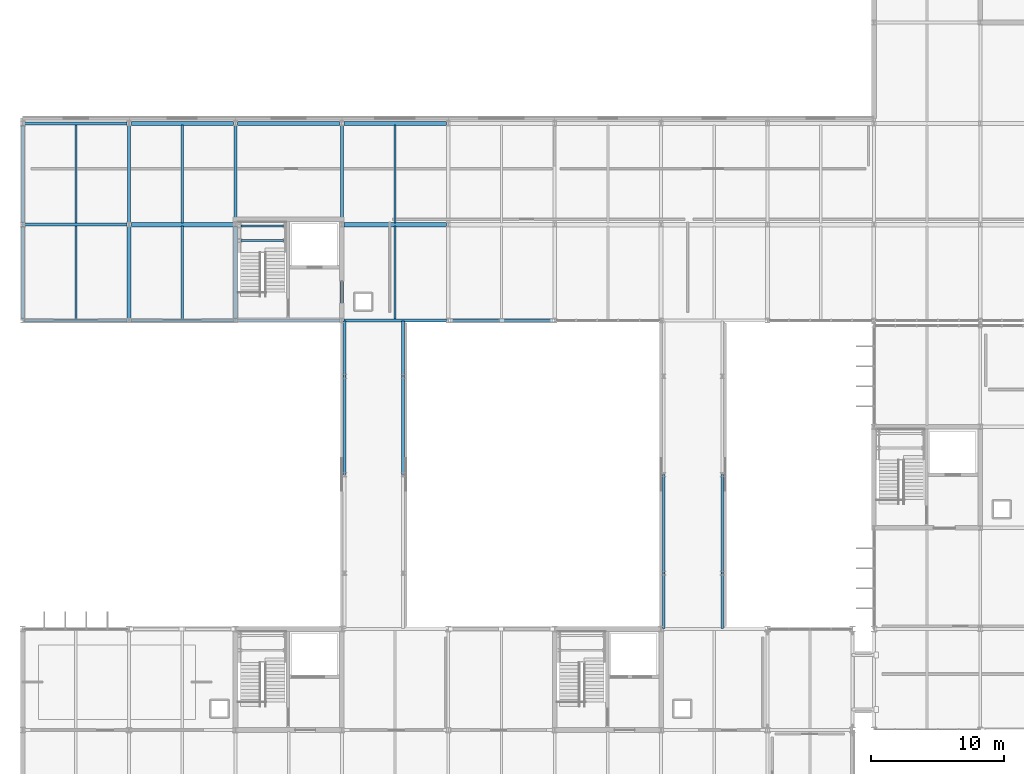
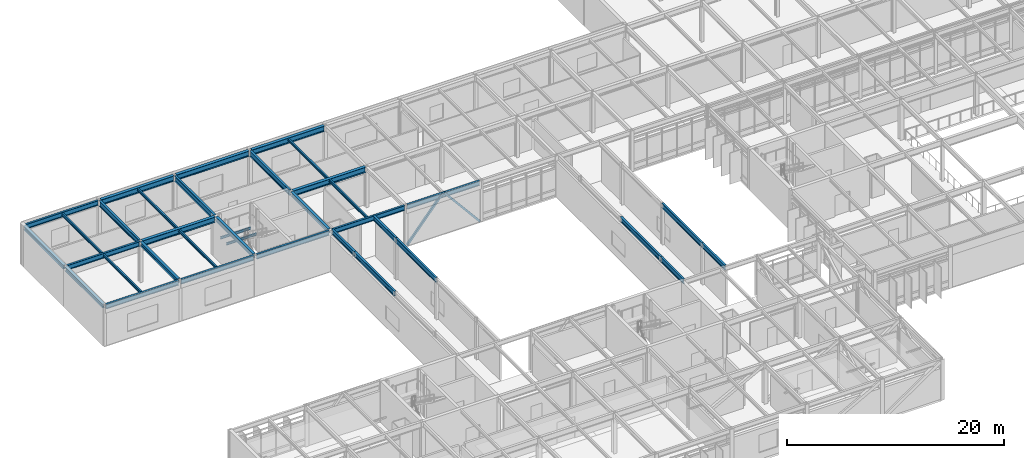
# One storey, part 30 of 104: 36 beams, 2 members.
"""IFC4 building model written with IfcOpenShell, lengths in metres."""

from ifc_helpers import new_model, si_unit, direction, frame, origin, origin_2d, place, context, subcontext, project, spatial, hollow_rectangle, i_section, extrude, material, material_profile, profile_set, type_object, element, save


model = new_model("IFC4")

# Units and contexts
model_context = context("Model", 3, precision=1e-05, world=origin(), true_north=direction((0.0, 1.0)))
body_context = subcontext(model_context, "Body", "Model", "MODEL_VIEW")
ifc_project = project(units=[si_unit("LENGTHUNIT", "METRE"), si_unit("AREAUNIT", "SQUARE_METRE"), si_unit("VOLUMEUNIT", "CUBIC_METRE"), si_unit("PLANEANGLEUNIT", "RADIAN"), si_unit("MASSUNIT", "GRAM", prefix="KILO")], contexts=[model_context])

# Site, building, storey
site_placement = place(None, origin())
site = spatial("IfcSite", under=ifc_project, at=site_placement, CompositionType="ELEMENT")
building_placement = place(site_placement, origin())
building = spatial("IfcBuilding", under=site, at=building_placement, Name="Zulena Civic Courthouse", CompositionType="ELEMENT")
storey_placement = place(building_placement, frame((0.0, 0.0, 15.60009765625)))
storey = spatial("IfcBuildingStorey", under=building, at=storey_placement, Name="L03", CompositionType="ELEMENT", Elevation=15.60009765625)

# Members
ifc_material_1 = material(Name="Steel ASTM A500 Grade C", Category="steel")
ifc_material_profile_1 = material_profile(ifc_material_1, hollow_rectangle(XDim=0.202880859375, YDim=0.202880859375, WallThickness=0.01171875, at=origin_2d()), Name="HSS8X8X1/2")
ifc_profile_set_1 = profile_set([ifc_material_profile_1], Name="Steel ASTM A500 Grade C")
member_type = type_object("IfcMemberType", Name="Brace_HSS8", PredefinedType="BRACE", material=ifc_profile_set_1)
for number, where, z_axis, x_axis, name in (
    (1, (36.14990234375, 46.0, 0.010009765625), (0.641034700676, 0.0, 0.767511897321), (0.0, 1.0, 0.0), "brace:V5:L03:5:0"),
    (2, (43.85009765625, 46.0, 0.010009765625), (-0.641034700676, 0.0, 0.767511897321), (0.0, -1.0, 0.0), "brace:V5:L03:5:1"),
):
    element("IfcMember", number, at=place(storey_placement, frame(where, z_axis=z_axis, x_axis=x_axis)), inside=storey, type_object=member_type, Name=name, PredefinedType="BRACE", context=body_context, shape_type="SweptSolid", body=[
        extrude(hollow_rectangle(XDim=0.202880859375, YDim=0.202880859375, WallThickness=0.01171875, at=origin_2d()), origin(), (0.0, 0.0, 1.0), 5.927978515625),
    ])

# Beams
ifc_material_2 = material(Name="Steel ASTM A992 Grade 50", Category="steel")
ifc_material_profile_2 = material_profile(ifc_material_2, i_section(OverallWidth=0.2099609375, OverallDepth=0.537109375, WebThickness=0.010986328125, FlangeThickness=0.017333984375, FilletRadius=0.0126953125, at=origin_2d()), Name="W21X68")
ifc_profile_set_2 = profile_set([ifc_material_profile_2], Name="Steel ASTM A992 Grade 50")
beam_type_1 = type_object("IfcBeamType", Name="BridgeGirder_W21X68", PredefinedType="BEAM", material=ifc_profile_set_2)
beam_1_placement = place(storey_placement, frame((28.199951171875, 34.39990234375, 4.361328125), z_axis=(0.0, 1.0, 0.0), x_axis=(-1.0, 0.0, 0.0)))
element("IfcBeam", 3, at=beam_1_placement, inside=storey, type_object=beam_type_1, Name="beam:bridgeroof:BR-52J:28.20:2", PredefinedType="BEAM", context=body_context, shape_type="SweptSolid", body=[
    extrude(i_section(OverallWidth=0.2099609375, OverallDepth=0.537109375, WebThickness=0.010986328125, FlangeThickness=0.017333984375, FilletRadius=0.0126953125, at=origin_2d()), origin(), (0.0, 0.0, 1.0), 7.400146484375),
])
beam_2_placement = place(storey_placement, frame((28.199951171875, 41.800048828125, 4.361328125), z_axis=(0.0, 1.0, 0.0), x_axis=(-1.0, 0.0, 0.0)))
element("IfcBeam", 4, at=beam_2_placement, inside=storey, type_object=beam_type_1, Name="beam:bridgeroof:BR-52J:28.20:3", PredefinedType="BEAM", context=body_context, shape_type="SweptSolid", body=[
    extrude(i_section(OverallWidth=0.2099609375, OverallDepth=0.537109375, WebThickness=0.010986328125, FlangeThickness=0.017333984375, FilletRadius=0.0126953125, at=origin_2d()), origin(), (0.0, 0.0, 1.0), 4.14990234375),
])
beam_3_placement = place(storey_placement, frame((32.60009765625, 34.39990234375, 4.361328125), z_axis=(0.0, 1.0, 0.0), x_axis=(-1.0, 0.0, 0.0)))
element("IfcBeam", 5, at=beam_3_placement, inside=storey, type_object=beam_type_1, Name="beam:bridgeroof:BR-52J:32.60:2", PredefinedType="BEAM", context=body_context, shape_type="SweptSolid", body=[
    extrude(i_section(OverallWidth=0.2099609375, OverallDepth=0.537109375, WebThickness=0.010986328125, FlangeThickness=0.017333984375, FilletRadius=0.0126953125, at=origin_2d()), origin(), (0.0, 0.0, 1.0), 7.400146484375),
])
for number, where, z_axis, x_axis, name in (
    (6, (32.60009765625, 41.800048828125, 4.361328125), (0.0, 1.0, 0.0), (-1.0, 0.0, 0.0), "beam:bridgeroof:BR-52J:32.60:3"),
    (7, (52.199951171875, 22.85009765625, 4.361328125), (0.0, 1.0, 0.0), (-1.0, 0.0, 0.0), "beam:bridgeroof:BR-52C:52.20:0"),
):
    element("IfcBeam", number, at=place(storey_placement, frame(where, z_axis=z_axis, x_axis=x_axis)), inside=storey, type_object=beam_type_1, Name=name, PredefinedType="BEAM", context=body_context, shape_type="SweptSolid", body=[
        extrude(i_section(OverallWidth=0.2099609375, OverallDepth=0.537109375, WebThickness=0.010986328125, FlangeThickness=0.017333984375, FilletRadius=0.0126953125, at=origin_2d()), origin(), (0.0, 0.0, 1.0), 4.14990234375),
    ])
beam_4_placement = place(storey_placement, frame((52.199951171875, 27.0, 4.361328125), z_axis=(0.0, 1.0, 0.0), x_axis=(-1.0, 0.0, 0.0)))
element("IfcBeam", 8, at=beam_4_placement, inside=storey, type_object=beam_type_1, Name="beam:bridgeroof:BR-52C:52.20:1", PredefinedType="BEAM", context=body_context, shape_type="SweptSolid", body=[
    extrude(i_section(OverallWidth=0.2099609375, OverallDepth=0.537109375, WebThickness=0.010986328125, FlangeThickness=0.017333984375, FilletRadius=0.0126953125, at=origin_2d()), origin(), (0.0, 0.0, 1.0), 7.39990234375),
])
beam_5_placement = place(storey_placement, frame((56.60009765625, 22.85009765625, 4.361328125), z_axis=(0.0, 1.0, 0.0), x_axis=(-1.0, 0.0, 0.0)))
element("IfcBeam", 9, at=beam_5_placement, inside=storey, type_object=beam_type_1, Name="beam:bridgeroof:BR-52C:56.60:0", PredefinedType="BEAM", context=body_context, shape_type="SweptSolid", body=[
    extrude(i_section(OverallWidth=0.2099609375, OverallDepth=0.537109375, WebThickness=0.010986328125, FlangeThickness=0.017333984375, FilletRadius=0.0126953125, at=origin_2d()), origin(), (0.0, 0.0, 1.0), 4.14990234375),
])
beam_6_placement = place(storey_placement, frame((56.60009765625, 27.0, 4.361328125), z_axis=(0.0, 1.0, 0.0), x_axis=(-1.0, 0.0, 0.0)))
element("IfcBeam", 10, at=beam_6_placement, inside=storey, type_object=beam_type_1, Name="beam:bridgeroof:BR-52C:56.60:1", PredefinedType="BEAM", context=body_context, shape_type="SweptSolid", body=[
    extrude(i_section(OverallWidth=0.2099609375, OverallDepth=0.537109375, WebThickness=0.010986328125, FlangeThickness=0.017333984375, FilletRadius=0.0126953125, at=origin_2d()), origin(), (0.0, 0.0, 1.0), 7.39990234375),
])
ifc_material_profile_3 = material_profile(ifc_material_2, i_section(OverallWidth=0.324951171875, OverallDepth=0.615966796875, WebThickness=0.013916015625, FlangeThickness=0.021484375, FilletRadius=0.0126953125, at=origin_2d()), Name="W24X117")
ifc_profile_set_3 = profile_set([ifc_material_profile_3], Name="Steel ASTM A992 Grade 50")
beam_type_2 = type_object("IfcBeamType", Name="Girder_W24X117", PredefinedType="BEAM", material=ifc_profile_set_3)
for number, where, z_axis, x_axis, name in (
    (11, (12.14501953125, 53.199951171875, 4.281982421875), (1.0, 0.0, 0.0), (0.0, 1.0, 0.0), "beam:X:V5:L03:53.2:12.0_20.0"),
    (12, (28.14501953125, 53.199951171875, 4.281982421875), (1.0, 0.0, 0.0), (0.0, 1.0, 0.0), "beam:X:V5:L03:53.2:28.0_36.0"),
    (13, (12.14501953125, 60.800048828125, 4.281982421875), (1.0, 0.0, 0.0), (0.0, 1.0, 0.0), "beam:X:V5:L03:60.8:12.0_20.0"),
    (14, (20.14501953125, 60.800048828125, 4.281982421875), (1.0, 0.0, 0.0), (0.0, 1.0, 0.0), "beam:X:V5:L03:60.8:20.0_28.0"),
    (15, (28.14501953125, 60.800048828125, 4.281982421875), (1.0, 0.0, 0.0), (0.0, 1.0, 0.0), "beam:X:V5:L03:60.8:28.0_36.0"),
):
    element("IfcBeam", number, at=place(storey_placement, frame(where, z_axis=z_axis, x_axis=x_axis)), inside=storey, type_object=beam_type_2, Name=name, PredefinedType="BEAM", context=body_context, shape_type="SweptSolid", body=[
        extrude(i_section(OverallWidth=0.324951171875, OverallDepth=0.615966796875, WebThickness=0.013916015625, FlangeThickness=0.021484375, FilletRadius=0.0126953125, at=origin_2d()), origin(), (0.0, 0.0, 1.0), 7.7099609375),
    ])
ifc_material_profile_4 = material_profile(ifc_material_2, i_section(OverallWidth=0.22998046875, OverallDepth=0.616943359375, WebThickness=0.01318359375, FlangeThickness=0.022216796875, FilletRadius=0.0126953125, at=origin_2d()), Name="W24X94")
ifc_profile_set_4 = profile_set([ifc_material_profile_4], Name="Steel ASTM A992 Grade 50")
beam_type_3 = type_object("IfcBeamType", Name="Girder_W24X94", PredefinedType="BEAM", material=ifc_profile_set_4)
for number, where, z_axis, x_axis, name in (
    (16, (12.0, 53.344970703125, 4.281494140625), (0.0, 1.0, 0.0), (-1.0, 0.0, 0.0), "beam:Y:V5:L03:12.0:53.2_60.8"),
    (17, (20.0, 53.344970703125, 4.281494140625), (0.0, 1.0, 0.0), (-1.0, 0.0, 0.0), "beam:Y:V5:L03:20.0:53.2_60.8"),
    (18, (28.0, 53.344970703125, 4.281494140625), (0.0, 1.0, 0.0), (-1.0, 0.0, 0.0), "beam:Y:V5:L03:28.0:53.2_60.8"),
):
    element("IfcBeam", number, at=place(storey_placement, frame(where, z_axis=z_axis, x_axis=x_axis)), inside=storey, type_object=beam_type_3, Name=name, PredefinedType="BEAM", context=body_context, shape_type="SweptSolid", body=[
        extrude(i_section(OverallWidth=0.22998046875, OverallDepth=0.616943359375, WebThickness=0.01318359375, FlangeThickness=0.022216796875, FilletRadius=0.0126953125, at=origin_2d()), origin(), (0.0, 0.0, 1.0), 7.31005859375),
    ])
ifc_material_profile_5 = material_profile(ifc_material_2, i_section(OverallWidth=0.14599609375, OverallDepth=0.258056640625, WebThickness=0.006103515625, FlangeThickness=0.009033203125, FilletRadius=0.007568359375, at=origin_2d()), Name="W10X22")
ifc_profile_set_5 = profile_set([ifc_material_profile_5], Name="Steel ASTM A992 Grade 50")
beam_type_4 = type_object("IfcBeamType", Name="Joist_W10X22", PredefinedType="JOIST", material=ifc_profile_set_5)
for number, where, z_axis, x_axis, name in (
    (19, (20.419921875, 52.0, 1.990966796875), (1.0, 0.0, 0.0), (0.0, 1.0, 0.0), "beam:lnd:K5A:L03:0"),
    (20, (20.419921875, 53.10009765625, 1.990966796875), (1.0, 0.0, 0.0), (0.0, 1.0, 0.0), "beam:lnd:K5A:L03:1"),
):
    element("IfcBeam", number, at=place(storey_placement, frame(where, z_axis=z_axis, x_axis=x_axis)), inside=storey, type_object=beam_type_4, Name=name, PredefinedType="JOIST", context=body_context, shape_type="SweptSolid", body=[
        extrude(i_section(OverallWidth=0.14599609375, OverallDepth=0.258056640625, WebThickness=0.006103515625, FlangeThickness=0.009033203125, FilletRadius=0.007568359375, at=origin_2d()), origin(), (0.0, 0.0, 1.0), 3.2001953125),
    ])
ifc_material_profile_6 = material_profile(ifc_material_2, i_section(OverallWidth=0.1650390625, OverallDepth=0.31005859375, WebThickness=0.005859375, FlangeThickness=0.009765625, FilletRadius=0.009765625, at=origin_2d()), Name="W12X26")
ifc_profile_set_6 = profile_set([ifc_material_profile_6], Name="Steel ASTM A992 Grade 50")
beam_type_5 = type_object("IfcBeamType", Name="Joist_W12X26", PredefinedType="JOIST", material=ifc_profile_set_6)
beam_7_placement = place(storey_placement, frame((8.0, 46.10498046875, 4.434814453125), z_axis=(0.0, 1.0, 0.0), x_axis=(-1.0, 0.0, 0.0)))
element("IfcBeam", 21, at=beam_7_placement, inside=storey, type_object=beam_type_5, Name="joist:V5:L03:8.00:46.0_53.2", PredefinedType="JOIST", context=body_context, shape_type="SweptSolid", body=[
    extrude(i_section(OverallWidth=0.1650390625, OverallDepth=0.31005859375, WebThickness=0.005859375, FlangeThickness=0.009765625, FilletRadius=0.009765625, at=origin_2d()), origin(), (0.0, 0.0, 1.0), 6.989990234375),
])
beam_8_placement = place(storey_placement, frame((8.0, 53.304931640625, 4.434814453125), z_axis=(0.0, 1.0, 0.0), x_axis=(-1.0, 0.0, 0.0)))
element("IfcBeam", 22, at=beam_8_placement, inside=storey, type_object=beam_type_5, Name="joist:V5:L03:8.00:53.2_60.8", PredefinedType="JOIST", context=body_context, shape_type="SweptSolid", body=[
    extrude(i_section(OverallWidth=0.1650390625, OverallDepth=0.31005859375, WebThickness=0.005859375, FlangeThickness=0.009765625, FilletRadius=0.009765625, at=origin_2d()), origin(), (0.0, 0.0, 1.0), 7.39013671875),
])
beam_9_placement = place(storey_placement, frame((16.0, 46.10498046875, 4.434814453125), z_axis=(0.0, 1.0, 0.0), x_axis=(-1.0, 0.0, 0.0)))
element("IfcBeam", 23, at=beam_9_placement, inside=storey, type_object=beam_type_5, Name="joist:V5:L03:16.00:46.0_53.2", PredefinedType="JOIST", context=body_context, shape_type="SweptSolid", body=[
    extrude(i_section(OverallWidth=0.1650390625, OverallDepth=0.31005859375, WebThickness=0.005859375, FlangeThickness=0.009765625, FilletRadius=0.009765625, at=origin_2d()), origin(), (0.0, 0.0, 1.0), 6.989990234375),
])
beam_10_placement = place(storey_placement, frame((16.0, 53.304931640625, 4.434814453125), z_axis=(0.0, 1.0, 0.0), x_axis=(-1.0, 0.0, 0.0)))
element("IfcBeam", 24, at=beam_10_placement, inside=storey, type_object=beam_type_5, Name="joist:V5:L03:16.00:53.2_60.8", PredefinedType="JOIST", context=body_context, shape_type="SweptSolid", body=[
    extrude(i_section(OverallWidth=0.1650390625, OverallDepth=0.31005859375, WebThickness=0.005859375, FlangeThickness=0.009765625, FilletRadius=0.009765625, at=origin_2d()), origin(), (0.0, 0.0, 1.0), 7.39013671875),
])
beam_11_placement = place(storey_placement, frame((32.0, 46.10498046875, 4.434814453125), z_axis=(0.0, 1.0, 0.0), x_axis=(-1.0, 0.0, 0.0)))
element("IfcBeam", 25, at=beam_11_placement, inside=storey, type_object=beam_type_5, Name="joist:V5:L03:32.00:46.0_53.2", PredefinedType="JOIST", context=body_context, shape_type="SweptSolid", body=[
    extrude(i_section(OverallWidth=0.1650390625, OverallDepth=0.31005859375, WebThickness=0.005859375, FlangeThickness=0.009765625, FilletRadius=0.009765625, at=origin_2d()), origin(), (0.0, 0.0, 1.0), 6.989990234375),
])
beam_12_placement = place(storey_placement, frame((32.0, 53.304931640625, 4.434814453125), z_axis=(0.0, 1.0, 0.0), x_axis=(-1.0, 0.0, 0.0)))
element("IfcBeam", 26, at=beam_12_placement, inside=storey, type_object=beam_type_5, Name="joist:V5:L03:32.00:53.2_60.8", PredefinedType="JOIST", context=body_context, shape_type="SweptSolid", body=[
    extrude(i_section(OverallWidth=0.1650390625, OverallDepth=0.31005859375, WebThickness=0.005859375, FlangeThickness=0.009765625, FilletRadius=0.009765625, at=origin_2d()), origin(), (0.0, 0.0, 1.0), 7.39013671875),
])
ifc_material_profile_7 = material_profile(ifc_material_2, i_section(OverallWidth=0.280029296875, OverallDepth=0.462890625, WebThickness=0.0107421875, FlangeThickness=0.017333984375, FilletRadius=0.01025390625, at=origin_2d()), Name="W18X76")
ifc_profile_set_7 = profile_set([ifc_material_profile_7], Name="Steel ASTM A992 Grade 50")
beam_type_6 = type_object("IfcBeamType", Name="Spandrel_W18X76", PredefinedType="SPANDREL", material=ifc_profile_set_7)
beam_13_placement = place(storey_placement, frame((4.0, 46.14501953125, 4.3583984375), z_axis=(0.0, 1.0, 0.0), x_axis=(-1.0, 0.0, 0.0)))
element("IfcBeam", 27, at=beam_13_placement, inside=storey, type_object=beam_type_6, Name="beam:Y:V5:L03:4.0:46.0_53.2", PredefinedType="SPANDREL", context=body_context, shape_type="SweptSolid", body=[
    extrude(i_section(OverallWidth=0.280029296875, OverallDepth=0.462890625, WebThickness=0.0107421875, FlangeThickness=0.017333984375, FilletRadius=0.01025390625, at=origin_2d()), origin(), (0.0, 0.0, 1.0), 6.909912109375),
])
beam_14_placement = place(storey_placement, frame((4.0, 53.344970703125, 4.3583984375), z_axis=(0.0, 1.0, 0.0), x_axis=(-1.0, 0.0, 0.0)))
element("IfcBeam", 28, at=beam_14_placement, inside=storey, type_object=beam_type_6, Name="beam:Y:V5:L03:4.0:53.2_60.8", PredefinedType="SPANDREL", context=body_context, shape_type="SweptSolid", body=[
    extrude(i_section(OverallWidth=0.280029296875, OverallDepth=0.462890625, WebThickness=0.0107421875, FlangeThickness=0.017333984375, FilletRadius=0.01025390625, at=origin_2d()), origin(), (0.0, 0.0, 1.0), 7.31005859375),
])
for number, where, z_axis, x_axis, name in (
    (29, (12.0, 46.14501953125, 4.3583984375), (0.0, 1.0, 0.0), (-1.0, 0.0, 0.0), "beam:Y:V5:L03:12.0:46.0_53.2"),
    (30, (20.0, 46.14501953125, 4.3583984375), (0.0, 1.0, 0.0), (-1.0, 0.0, 0.0), "beam:Y:V5:L03:20.0:46.0_53.2"),
    (31, (28.0, 46.14501953125, 4.3583984375), (0.0, 1.0, 0.0), (-1.0, 0.0, 0.0), "beam:Y:V5:L03:28.0:46.0_53.2"),
):
    element("IfcBeam", number, at=place(storey_placement, frame(where, z_axis=z_axis, x_axis=x_axis)), inside=storey, type_object=beam_type_6, Name=name, PredefinedType="SPANDREL", context=body_context, shape_type="SweptSolid", body=[
        extrude(i_section(OverallWidth=0.280029296875, OverallDepth=0.462890625, WebThickness=0.0107421875, FlangeThickness=0.017333984375, FilletRadius=0.01025390625, at=origin_2d()), origin(), (0.0, 0.0, 1.0), 6.909912109375),
    ])
ifc_material_profile_8 = material_profile(ifc_material_2, i_section(OverallWidth=0.2099609375, OverallDepth=0.537109375, WebThickness=0.010986328125, FlangeThickness=0.017333984375, FilletRadius=0.0126953125, at=origin_2d()), Name="W21X68")
ifc_profile_set_8 = profile_set([ifc_material_profile_8], Name="Steel ASTM A992 Grade 50")
beam_type_7 = type_object("IfcBeamType", Name="Spandrel_W21X68", PredefinedType="SPANDREL", material=ifc_profile_set_8)
for number, where, z_axis, x_axis, name in (
    (32, (4.14501953125, 46.0, 4.3212890625), (1.0, 0.0, 0.0), (0.0, 1.0, 0.0), "beam:X:V5:L03:46.0:4.0_12.0"),
    (33, (12.14501953125, 46.0, 4.3212890625), (1.0, 0.0, 0.0), (0.0, 1.0, 0.0), "beam:X:V5:L03:46.0:12.0_20.0"),
    (34, (20.14501953125, 46.0, 4.3212890625), (1.0, 0.0, 0.0), (0.0, 1.0, 0.0), "beam:X:V5:L03:46.0:20.0_28.0"),
    (35, (28.14501953125, 46.0, 4.3212890625), (1.0, 0.0, 0.0), (0.0, 1.0, 0.0), "beam:X:V5:L03:46.0:28.0_36.0"),
    (36, (36.14501953125, 46.0, 4.3212890625), (1.0, 0.0, 0.0), (0.0, 1.0, 0.0), "beam:X:V5:L03:46.0:36.0_44.0"),
    (37, (4.14501953125, 53.199951171875, 4.3212890625), (1.0, 0.0, 0.0), (0.0, 1.0, 0.0), "beam:X:V5:L03:53.2:4.0_12.0"),
    (38, (4.14501953125, 60.800048828125, 4.3212890625), (1.0, 0.0, 0.0), (0.0, 1.0, 0.0), "beam:X:V5:L03:60.8:4.0_12.0"),
):
    element("IfcBeam", number, at=place(storey_placement, frame(where, z_axis=z_axis, x_axis=x_axis)), inside=storey, type_object=beam_type_7, Name=name, PredefinedType="SPANDREL", context=body_context, shape_type="SweptSolid", body=[
        extrude(i_section(OverallWidth=0.2099609375, OverallDepth=0.537109375, WebThickness=0.010986328125, FlangeThickness=0.017333984375, FilletRadius=0.0126953125, at=origin_2d()), origin(), (0.0, 0.0, 1.0), 7.7099609375),
    ])

save(model, "model.ifc")
